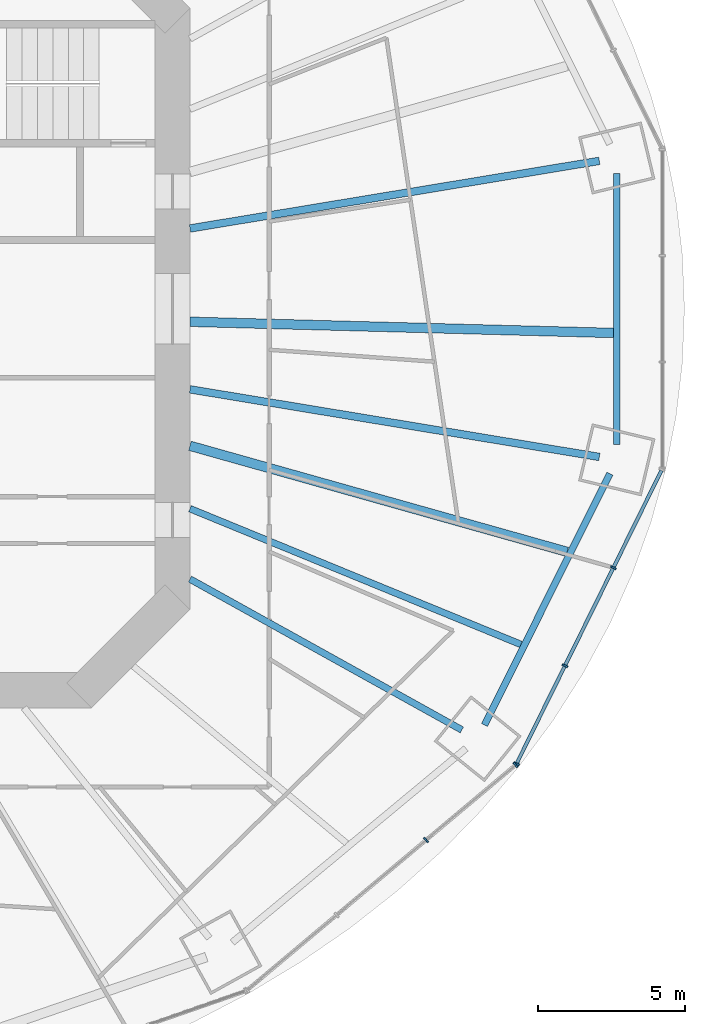
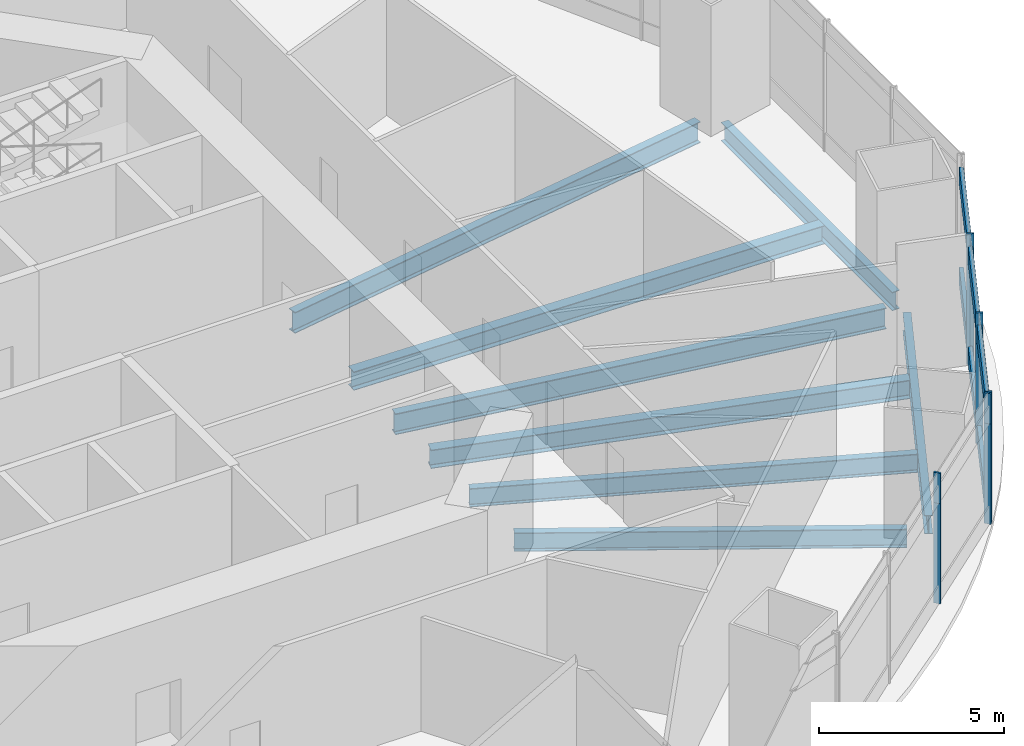
# One storey, part 5 of 17: 12 members, 8 beams, 4 elements without a shape of their own.
"""IFC4 building model written with IfcOpenShell, lengths in metres."""

from ifc_helpers import new_model, si_unit, direction, frame, origin, origin_2d, place, context, subcontext, project, spatial, rectangle, i_section, extrude, material, material_profile, profile_set, type_object, element, aggregate, save


model = new_model("IFC4")

# Units and contexts
model_context = context("Model", 3, precision=1e-05, world=origin(), true_north=direction((0.0, 1.0)))
body_context = subcontext(model_context, "Body", "Model", "MODEL_VIEW")
ifc_project = project(units=[si_unit("LENGTHUNIT", "METRE"), si_unit("AREAUNIT", "SQUARE_METRE"), si_unit("VOLUMEUNIT", "CUBIC_METRE"), si_unit("PLANEANGLEUNIT", "RADIAN"), si_unit("MASSUNIT", "GRAM", prefix="KILO")], contexts=[model_context])

# Site, building, storey
site_placement = place(None, origin())
site = spatial("IfcSite", under=ifc_project, at=site_placement, CompositionType="ELEMENT")
building_placement = place(site_placement, origin())
building = spatial("IfcBuilding", under=site, at=building_placement, Name="Marenthal Gate Tower", CompositionType="ELEMENT")
storey_placement = place(building_placement, frame((0.0, 0.0, 145.050048828125)))
storey = spatial("IfcBuildingStorey", under=building, at=storey_placement, Name="L31", CompositionType="ELEMENT", Elevation=145.050048828125)

# Curtain wall, members
ifc_material_1 = material(Name="Aluminium and glass", Category="aluminium")
curtain_wall_type_1 = type_object("IfcCurtainWallType", Name="Curtain wall amenity", PredefinedType="NOTDEFINED", material=ifc_material_1)
curtain_wall_1_placement = place(storey_placement, origin())
curtain_wall_1 = element("IfcCurtainWall", 1, at=curtain_wall_1_placement, inside=storey, type_object=curtain_wall_type_1, Name="Curtain wall L31 bay 14", PredefinedType="NOTDEFINED")
ifc_material_2 = material(Name="Aluminium", Category="aluminium")
ifc_material_profile_1 = material_profile(ifc_material_2, rectangle(XDim=0.199951171875, YDim=0.06005859375, at=origin_2d()), Name="60x200 aluminium mullion")
ifc_profile_set_1 = profile_set([ifc_material_profile_1], Name="Aluminium")
member_type_1 = type_object("IfcMemberType", Name="Mullion 60x200 amenity", PredefinedType="MULLION", material=ifc_profile_set_1)
member_1_placement = place(storey_placement, frame((24.64892578125, -18.109619140625, 0.0), z_axis=(0.0, 0.0, 1.0), x_axis=(-0.642510826857, 0.766276606305, 0.0)))
member_1 = element("IfcMember", 2, at=member_1_placement, type_object=member_type_1, Name="Mullion L31 bay 14.3", PredefinedType="MULLION", context=body_context, shape_type="SweptSolid", body=[
    extrude(rectangle(XDim=0.199951171875, YDim=0.06005859375, at=origin_2d()), origin(), (0.0, 0.0, 1.0), 3.300048828125),
])
member_2_placement = place(storey_placement, frame((27.699951171875, -15.551513671875, 0.0), z_axis=(0.0, 0.0, 1.0), x_axis=(-0.642510826857, 0.766276606305, 0.0)))
member_2 = element("IfcMember", 3, at=member_2_placement, type_object=member_type_1, Name="Mullion L31 bay 14.4", PredefinedType="MULLION", context=body_context, shape_type="SweptSolid", body=[
    extrude(rectangle(XDim=0.199951171875, YDim=0.06005859375, at=origin_2d()), origin(), (0.0, 0.0, 1.0), 3.300048828125),
])
aggregate(curtain_wall_1, [member_1, member_2])

curtain_wall_2_placement = place(storey_placement, origin())
curtain_wall_2 = element("IfcCurtainWall", 4, at=curtain_wall_2_placement, inside=storey, type_object=curtain_wall_type_1, Name="Curtain wall L31 bay 15", PredefinedType="NOTDEFINED")
member_3_placement = place(storey_placement, frame((27.736083984375, -15.505126953125, 0.0), z_axis=(0.0, 0.0, 1.0), x_axis=(-0.896573265484, 0.442895449987, 0.0)))
member_3 = element("IfcMember", 5, at=member_3_placement, type_object=member_type_1, Name="Mullion L31 bay 15.1", PredefinedType="MULLION", context=body_context, shape_type="SweptSolid", body=[
    extrude(rectangle(XDim=0.199951171875, YDim=0.06005859375, at=origin_2d()), origin(), (0.0, 0.0, 1.0), 3.300048828125),
])
member_4_placement = place(storey_placement, frame((29.38671875, -12.163818359375, 0.0), z_axis=(0.0, 0.0, 1.0), x_axis=(-0.896573265484, 0.442895449987, 0.0)))
member_4 = element("IfcMember", 6, at=member_4_placement, type_object=member_type_1, Name="Mullion L31 bay 15.2", PredefinedType="MULLION", context=body_context, shape_type="SweptSolid", body=[
    extrude(rectangle(XDim=0.199951171875, YDim=0.06005859375, at=origin_2d()), origin(), (0.0, 0.0, 1.0), 3.300048828125),
])
member_5_placement = place(storey_placement, frame((31.037353515625, -8.822509765625, 0.0), z_axis=(0.0, 0.0, 1.0), x_axis=(-0.896573265484, 0.442895449987, 0.0)))
member_5 = element("IfcMember", 7, at=member_5_placement, type_object=member_type_1, Name="Mullion L31 bay 15.3", PredefinedType="MULLION", context=body_context, shape_type="SweptSolid", body=[
    extrude(rectangle(XDim=0.199951171875, YDim=0.06005859375, at=origin_2d()), origin(), (0.0, 0.0, 1.0), 3.300048828125),
])

ifc_material_3 = material(Name="Aluminium and glass", Category="aluminium")
curtain_wall_type_2 = type_object("IfcCurtainWallType", Name="Curtain wall crown clad", PredefinedType="NOTDEFINED", material=ifc_material_3)
curtain_wall_3_placement = place(storey_placement, origin())
curtain_wall_3 = element("IfcCurtainWall", 8, at=curtain_wall_3_placement, inside=storey, type_object=curtain_wall_type_2, Name="Curtain wall L31 bay 14 head band", PredefinedType="NOTDEFINED")
ifc_material_4 = material(Name="Aluminium", Category="aluminium")
ifc_material_profile_2 = material_profile(ifc_material_4, rectangle(XDim=0.199951171875, YDim=0.06005859375, at=origin_2d()), Name="60x200 aluminium mullion")
ifc_profile_set_2 = profile_set([ifc_material_profile_2], Name="Aluminium")
member_type_2 = type_object("IfcMemberType", Name="Mullion 60x200 crown clad", PredefinedType="MULLION", material=ifc_profile_set_2)
member_6_placement = place(storey_placement, frame((24.64892578125, -18.109619140625, 3.300048828125), z_axis=(0.0, 0.0, 1.0), x_axis=(-0.642510826857, 0.766276606305, 0.0)))
member_6 = element("IfcMember", 9, at=member_6_placement, type_object=member_type_2, Name="Mullion L31 bay 14.3", PredefinedType="MULLION", context=body_context, shape_type="SweptSolid", body=[
    extrude(rectangle(XDim=0.199951171875, YDim=0.06005859375, at=origin_2d()), origin(), (0.0, 0.0, 1.0), 1.0),
])
member_7_placement = place(storey_placement, frame((27.699951171875, -15.551513671875, 3.300048828125), z_axis=(0.0, 0.0, 1.0), x_axis=(-0.642510826857, 0.766276606305, 0.0)))
member_7 = element("IfcMember", 10, at=member_7_placement, type_object=member_type_2, Name="Mullion L31 bay 14.4", PredefinedType="MULLION", context=body_context, shape_type="SweptSolid", body=[
    extrude(rectangle(XDim=0.199951171875, YDim=0.06005859375, at=origin_2d()), origin(), (0.0, 0.0, 1.0), 1.0),
])
aggregate(curtain_wall_3, [member_6, member_7])

curtain_wall_4_placement = place(storey_placement, origin())
curtain_wall_4 = element("IfcCurtainWall", 11, at=curtain_wall_4_placement, inside=storey, type_object=curtain_wall_type_2, Name="Curtain wall L31 bay 15 head band", PredefinedType="NOTDEFINED")
member_8_placement = place(storey_placement, frame((27.736083984375, -15.505126953125, 3.300048828125), z_axis=(0.0, 0.0, 1.0), x_axis=(-0.896573265484, 0.442895449987, 0.0)))
member_8 = element("IfcMember", 12, at=member_8_placement, type_object=member_type_2, Name="Mullion L31 bay 15.1", PredefinedType="MULLION", context=body_context, shape_type="SweptSolid", body=[
    extrude(rectangle(XDim=0.199951171875, YDim=0.06005859375, at=origin_2d()), origin(), (0.0, 0.0, 1.0), 1.0),
])
member_9_placement = place(storey_placement, frame((29.38671875, -12.163818359375, 3.300048828125), z_axis=(0.0, 0.0, 1.0), x_axis=(-0.896573265484, 0.442895449987, 0.0)))
member_9 = element("IfcMember", 13, at=member_9_placement, type_object=member_type_2, Name="Mullion L31 bay 15.2", PredefinedType="MULLION", context=body_context, shape_type="SweptSolid", body=[
    extrude(rectangle(XDim=0.199951171875, YDim=0.06005859375, at=origin_2d()), origin(), (0.0, 0.0, 1.0), 1.0),
])
member_10_placement = place(storey_placement, frame((31.037353515625, -8.822509765625, 3.300048828125), z_axis=(0.0, 0.0, 1.0), x_axis=(-0.896573265484, 0.442895449987, 0.0)))
member_10 = element("IfcMember", 14, at=member_10_placement, type_object=member_type_2, Name="Mullion L31 bay 15.3", PredefinedType="MULLION", context=body_context, shape_type="SweptSolid", body=[
    extrude(rectangle(XDim=0.199951171875, YDim=0.06005859375, at=origin_2d()), origin(), (0.0, 0.0, 1.0), 1.0),
])

# Member
ifc_material_5 = material(Name="Aluminium", Category="aluminium")
ifc_material_profile_3 = material_profile(ifc_material_5, rectangle(XDim=0.1201171875, YDim=0.60009765625, at=origin_2d()), Name="120x600 aluminium transom")
ifc_profile_set_3 = profile_set([ifc_material_profile_3], Name="Aluminium")
member_type_3 = type_object("IfcMemberType", Name="Transom 120x600 amenity", PredefinedType="USERDEFINED", material=ifc_profile_set_3)
member_11_placement = place(storey_placement, frame((27.74951171875, -15.478271484375, 0.300048828125), z_axis=(0.442896665934, 0.896572664821, 0.0), x_axis=(-0.896572664821, 0.442896665934, 0.0)))
member_11 = element("IfcMember", 15, at=member_11_placement, type_object=member_type_3, Name="Transom L31 bay 15", ObjectType="TRANSOM", PredefinedType="USERDEFINED", context=body_context, shape_type="SweptSolid", body=[
    extrude(rectangle(XDim=0.1201171875, YDim=0.60009765625, at=origin_2d()), origin(), (0.0, 0.0, 1.0), 11.12060546875),
])

aggregate(curtain_wall_2, [member_3, member_4, member_5, member_11])

ifc_material_6 = material(Name="Aluminium", Category="aluminium")
ifc_material_profile_4 = material_profile(ifc_material_6, rectangle(XDim=0.1201171875, YDim=0.60009765625, at=origin_2d()), Name="120x600 aluminium transom")
ifc_profile_set_4 = profile_set([ifc_material_profile_4], Name="Aluminium")
member_type_4 = type_object("IfcMemberType", Name="Transom 120x600 crown clad", PredefinedType="USERDEFINED", material=ifc_profile_set_4)
member_12_placement = place(storey_placement, frame((27.74951171875, -15.478271484375, 3.599853515625), z_axis=(0.442896665934, 0.896572664821, 0.0), x_axis=(-0.896572664821, 0.442896665934, 0.0)))
member_12 = element("IfcMember", 16, at=member_12_placement, type_object=member_type_4, Name="Transom L31 bay 15", ObjectType="TRANSOM", PredefinedType="USERDEFINED", context=body_context, shape_type="SweptSolid", body=[
    extrude(rectangle(XDim=0.1201171875, YDim=0.60009765625, at=origin_2d()), origin(), (0.0, 0.0, 1.0), 11.12060546875),
])

aggregate(curtain_wall_4, [member_8, member_9, member_10, member_12])

# Beams
ifc_material_7 = material(Name="Steel S355", Category="steel")
ifc_material_profile_5 = material_profile(ifc_material_7, i_section(OverallWidth=0.22900390625, OverallDepth=0.612060546875, WebThickness=0.011962890625, FlangeThickness=0.01953125, FilletRadius=0.0126953125, at=origin_2d()), Name="W610X125")
ifc_profile_set_5 = profile_set([ifc_material_profile_5], Name="Steel S355")
beam_type_1 = type_object("IfcBeamType", Name="W610X125 beam", PredefinedType="BEAM", material=ifc_profile_set_5)
beam_1_placement = place(storey_placement, frame((25.8701171875, -14.355224609375, -0.506103515625), z_axis=(-0.874396146379, 0.485212715412, 0.0), x_axis=(-0.485212715412, -0.874396146379, 0.0)))
element("IfcBeam", 17, at=beam_1_placement, inside=storey, type_object=beam_type_1, Name="BM-L31-15", PredefinedType="BEAM", context=body_context, shape_type="SweptSolid", body=[
    extrude(i_section(OverallWidth=0.22900390625, OverallDepth=0.612060546875, WebThickness=0.011962890625, FlangeThickness=0.01953125, FilletRadius=0.0126953125, at=origin_2d()), origin(), (0.0, 0.0, 1.0), 10.6015625),
])
beam_2_placement = place(storey_placement, frame((27.8837890625, -11.441162109375, -0.506103515625), z_axis=(-0.925149152046, 0.379603801969, 0.0), x_axis=(-0.379603801969, -0.925149152046, 0.0)))
element("IfcBeam", 18, at=beam_2_placement, inside=storey, type_object=beam_type_1, Name="BM-L31-38", PredefinedType="BEAM", context=body_context, shape_type="SweptSolid", body=[
    extrude(i_section(OverallWidth=0.22900390625, OverallDepth=0.612060546875, WebThickness=0.011962890625, FlangeThickness=0.01953125, FilletRadius=0.0126953125, at=origin_2d()), origin(), (0.0, 0.0, 1.0), 12.196533203125),
])
beam_3_placement = place(storey_placement, frame((26.642578125, -14.185791015625, -0.506103515625), z_axis=(0.446356728124, 0.89485511188, 0.0), x_axis=(-0.89485511188, 0.446356728124, 0.0)))
element("IfcBeam", 19, at=beam_3_placement, inside=storey, type_object=beam_type_1, Name="BM-L31-55", PredefinedType="BEAM", context=body_context, shape_type="SweptSolid", body=[
    extrude(i_section(OverallWidth=0.22900390625, OverallDepth=0.612060546875, WebThickness=0.011962890625, FlangeThickness=0.01953125, FilletRadius=0.0126953125, at=origin_2d()), origin(), (0.0, 0.0, 1.0), 9.57568359375),
])
beam_4_placement = place(storey_placement, frame((31.151611328125, -4.61767578125, -0.506103515625), z_axis=(0.0, 1.0, 0.0), x_axis=(-1.0, 0.0, 0.0)))
element("IfcBeam", 20, at=beam_4_placement, inside=storey, type_object=beam_type_1, Name="BM-L31-56", PredefinedType="BEAM", context=body_context, shape_type="SweptSolid", body=[
    extrude(i_section(OverallWidth=0.22900390625, OverallDepth=0.612060546875, WebThickness=0.011962890625, FlangeThickness=0.01953125, FilletRadius=0.0126953125, at=origin_2d()), origin(), (0.0, 0.0, 1.0), 9.2353515625),
])
ifc_material_8 = material(Name="Steel S355", Category="steel")
ifc_material_profile_6 = material_profile(ifc_material_8, i_section(OverallWidth=0.324951171875, OverallDepth=0.612060546875, WebThickness=0.0126953125, FlangeThickness=0.01904296875, FilletRadius=0.0126953125, at=origin_2d()), Name="W610X155")
ifc_profile_set_6 = profile_set([ifc_material_profile_6], Name="Steel S355")
beam_type_2 = type_object("IfcBeamType", Name="W610X155 beam", PredefinedType="BEAM", material=ifc_profile_set_6)
beam_5_placement = place(storey_placement, frame((29.45849609375, -8.28369140625, -0.506103515625), z_axis=(-0.962664635001, 0.270696879402, 0.0), x_axis=(-0.270696879402, -0.962664635001, 0.0)))
element("IfcBeam", 21, at=beam_5_placement, inside=storey, type_object=beam_type_2, Name="BM-L31-39", PredefinedType="BEAM", context=body_context, shape_type="SweptSolid", body=[
    extrude(i_section(OverallWidth=0.324951171875, OverallDepth=0.612060546875, WebThickness=0.0126953125, FlangeThickness=0.01904296875, FilletRadius=0.0126953125, at=origin_2d()), origin(), (0.0, 0.0, 1.0), 13.357177734375),
])
beam_6_placement = place(storey_placement, frame((31.037109375, -0.8203125, -0.506103515625), z_axis=(-0.999650870969, 0.02642226657, 0.0), x_axis=(-0.02642226657, -0.999650870969, 0.0)))
element("IfcBeam", 22, at=beam_6_placement, inside=storey, type_object=beam_type_2, Name="BM-L31-40", PredefinedType="BEAM", context=body_context, shape_type="SweptSolid", body=[
    extrude(i_section(OverallWidth=0.324951171875, OverallDepth=0.612060546875, WebThickness=0.0126953125, FlangeThickness=0.01904296875, FilletRadius=0.0126953125, at=origin_2d()), origin(), (0.0, 0.0, 1.0), 14.442138671875),
])
ifc_material_9 = material(Name="Steel S355", Category="steel")
ifc_material_profile_7 = material_profile(ifc_material_9, i_section(OverallWidth=0.257080078125, OverallDepth=0.693115234375, WebThickness=0.014404296875, FlangeThickness=0.023681640625, FilletRadius=0.015380859375, at=origin_2d()), Name="W690X170")
ifc_profile_set_7 = profile_set([ifc_material_profile_7], Name="Steel S355")
beam_type_3 = type_object("IfcBeamType", Name="W690X170 beam", PredefinedType="BEAM", material=ifc_profile_set_7)
for number, where, z_axis, x_axis, name in (
    (23, (30.556884765625, 5.047607421875, -0.546630859375), (-0.986630319442, -0.162974270234, 0.0), (0.162974270234, -0.986630319442, 0.0), "BM-L31-01"),
    (24, (30.556884765625, -5.047607421875, -0.546630859375), (-0.986630319442, 0.162974270234, 0.0), (-0.162974270234, -0.986630319442, 0.0), "BM-L31-16"),
):
    element("IfcBeam", number, at=place(storey_placement, frame(where, z_axis=z_axis, x_axis=x_axis)), inside=storey, type_object=beam_type_3, Name=name, PredefinedType="BEAM", context=body_context, shape_type="SweptSolid", body=[
        extrude(i_section(OverallWidth=0.257080078125, OverallDepth=0.693115234375, WebThickness=0.014404296875, FlangeThickness=0.023681640625, FilletRadius=0.015380859375, at=origin_2d()), origin(), (0.0, 0.0, 1.0), 14.14599609375),
    ])

save(model, "model.ifc")
